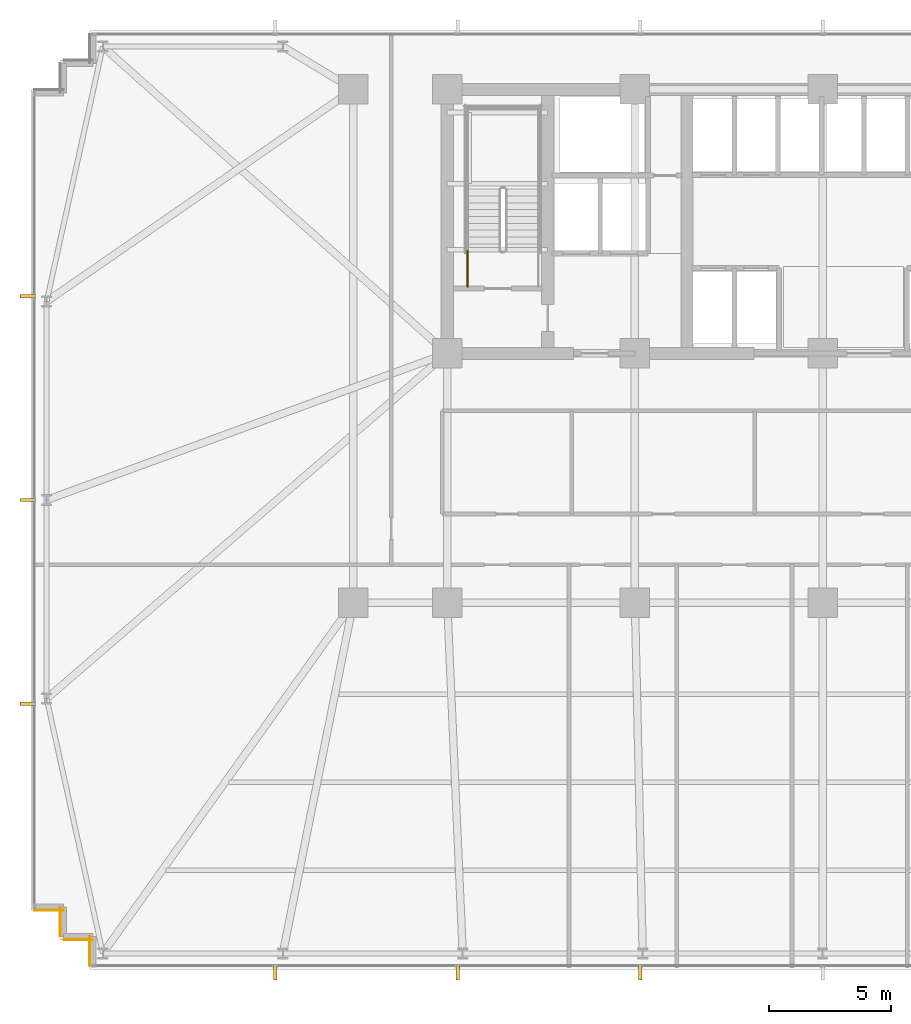
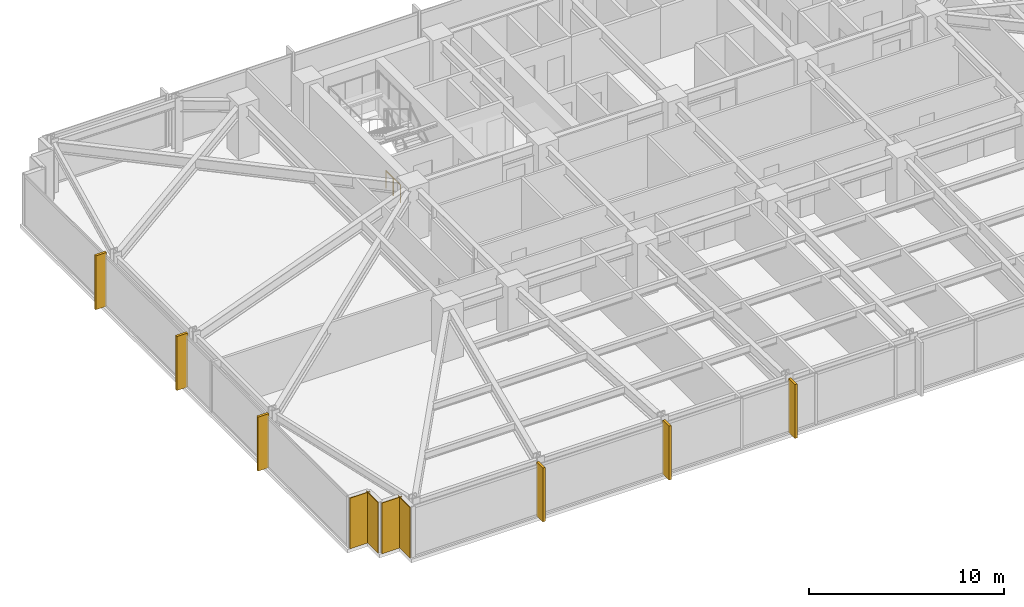
# One storey, part 27 of 33: 6 shading devices, 4 coverings, 1 railing.
"""IFC4 building model written with IfcOpenShell, lengths in metres."""

from ifc_helpers import new_model, si_unit, direction, frame, frame_2d, origin, origin_2d, place, context, subcontext, project, spatial, rectangle, circle, extrude, material, layer, layer_set, type_object, element, save


model = new_model("IFC4")

# Units and contexts
model_context = context("Model", 3, precision=1e-05, world=origin(), true_north=direction((0.0, 1.0)))
body_context = subcontext(model_context, "Body", "Model", "MODEL_VIEW")
ifc_project = project(units=[si_unit("LENGTHUNIT", "METRE"), si_unit("AREAUNIT", "SQUARE_METRE"), si_unit("VOLUMEUNIT", "CUBIC_METRE"), si_unit("PLANEANGLEUNIT", "RADIAN"), si_unit("MASSUNIT", "GRAM", prefix="KILO")], contexts=[model_context])

# Site, building, storey
site_placement = place(None, origin())
site = spatial("IfcSite", under=ifc_project, at=site_placement, CompositionType="ELEMENT")
building_placement = place(site_placement, origin())
building = spatial("IfcBuilding", under=site, at=building_placement, Name="Yelkora Congress Tower", CompositionType="ELEMENT")
storey_placement = place(building_placement, frame((0.0, 0.0, 54.199951171875)))
storey = spatial("IfcBuildingStorey", under=building, at=storey_placement, Name="L13", CompositionType="ELEMENT", Elevation=54.199951171875)

# Coverings
ifc_material_1 = material(Name="Anatolian bush-hammered limestone", Category="masonry")
ifc_layer_1 = layer(ifc_material_1, 0.0400390625)
ifc_layer_set_1 = layer_set([ifc_layer_1], Name="Anatolian bush-hammered limestone")
covering_type = type_object("IfcCoveringType", Name="COV-CLAD-SPANDREL-40", PredefinedType="CLADDING", material=ifc_layer_set_1)
for number, where, z_axis, x_axis, name in (
    (1, (8.405029296875, 10.340087890625, 0.0), (0.0, 0.0, 1.0), (0.0, 1.0, 0.0), "L13 Anatolian Limestone Cladding EW-L13-SR01"),
    (2, (8.5400390625, 11.405029296875, 0.0), (0.0, 0.0, 1.0), (-1.0, 0.0, 0.0), "L13 Anatolian Limestone Cladding EW-L13-SR02"),
    (3, (7.205078125, 11.5400390625, 0.0), (0.0, 0.0, 1.0), (0.0, 1.0, 0.0), "L13 Anatolian Limestone Cladding EW-L13-SR03"),
):
    element("IfcCovering", number, at=place(storey_placement, frame(where, z_axis=z_axis, x_axis=x_axis)), inside=storey, type_object=covering_type, Name=name, PredefinedType="CLADDING", context=body_context, shape_type="SweptSolid", body=[
        extrude(rectangle(XDim=1.199951171875, YDim=0.0400390625, at=frame_2d((0.60009765625, 0.0))), origin(), (0.0, 0.0, 1.0), 3.179931640625),
    ])
covering_placement = place(storey_placement, frame((7.340087890625, 12.60498046875, 0.0), z_axis=(0.0, 0.0, 1.0), x_axis=(-1.0, 0.0, 0.0)))
element("IfcCovering", 4, at=covering_placement, inside=storey, type_object=covering_type, Name="L13 Anatolian Limestone Cladding EW-L13-SR04", PredefinedType="CLADDING", context=body_context, shape_type="SweptSolid", body=[
    extrude(rectangle(XDim=1.2001953125, YDim=0.0400390625, at=frame_2d((0.60009765625, 0.0))), origin(), (0.0, 0.0, 1.0), 3.179931640625),
])

# Railing
ifc_material_2 = material(Name="Painted galvanised steel stair well guard with vertical infill", Category="steel")
ifc_layer_2 = layer(ifc_material_2, 0.06005859375)
ifc_layer_set_2 = layer_set([ifc_layer_2], Name="Painted galvanised steel stair well guard with vertical infill")
railing_type = type_object("IfcRailingType", Name="RAIL-STAIR-GUARD-1120", PredefinedType="GUARDRAIL", material=ifc_layer_set_2)
railing_placement = place(storey_placement, frame((23.8701171875, 38.1201171875, 0.0)))
element("IfcRailing", 5, at=railing_placement, inside=storey, type_object=railing_type, Name="ST-01 L13 Stair Well Guardrail 9", PredefinedType="GUARDRAIL", context=body_context, shape_type="SweptSolid", body=[
    extrude(circle(Radius=0.02392578125, at=origin_2d()), frame((0.0, 0.0, 1.09619140625), z_axis=(0.0, 1.0, 0.0), x_axis=(-1.0, 0.0, 0.0)), (0.0, 0.0, 1.0), 1.47998046875),
    extrude(circle(Radius=0.02099609375, at=origin_2d()), origin(), (0.0, 0.0, 1.0), 1.072021484375),
    extrude(circle(Radius=0.02099609375, at=origin_2d()), frame((0.0, 0.739990234375, 0.0)), (0.0, 0.0, 1.0), 1.072021484375),
    extrude(circle(Radius=0.02099609375, at=origin_2d()), frame((0.0, 1.47998046875, 0.0)), (0.0, 0.0, 1.0), 1.072021484375),
])

# Shading devices
ifc_material_3 = material(Name="Champagne anodised aluminium", Category="aluminium")
ifc_layer_3 = layer(ifc_material_3, 3.39990234375)
ifc_layer_set_3 = layer_set([ifc_layer_3], Name="Champagne anodised aluminium")
shading_device_type = type_object("IfcShadingDeviceType", Name="SHD-FIN-ALU-640", PredefinedType="USERDEFINED", material=ifc_layer_set_3)
for number, where, z_axis, x_axis, name in (
    (6, (5.8798828125, 21.070068359375, -0.02978515625), (0.0, 0.0, 1.0), (0.0, 1.0, 0.0), "L13 Vertical Anodised Solar Fin 5-1"),
    (7, (5.8798828125, 29.39990234375, -0.02978515625), (0.0, 0.0, 1.0), (0.0, 1.0, 0.0), "L13 Vertical Anodised Solar Fin 5-2"),
    (8, (5.8798828125, 37.72998046875, -0.02978515625), (0.0, 0.0, 1.0), (0.0, 1.0, 0.0), "L13 Vertical Anodised Solar Fin 5-3"),
    (9, (30.93505859375, 10.080078125, -0.02978515625), (0.0, 0.0, 1.0), (-1.0, 0.0, 0.0), "L13 Vertical Anodised Solar Fin 20-5"),
    (10, (23.469970703125, 10.080078125, -0.02978515625), (0.0, 0.0, 1.0), (-1.0, 0.0, 0.0), "L13 Vertical Anodised Solar Fin 20-6"),
    (11, (16.0048828125, 10.080078125, -0.02978515625), (0.0, 0.0, 1.0), (-1.0, 0.0, 0.0), "L13 Vertical Anodised Solar Fin 20-7"),
):
    element("IfcShadingDevice", number, at=place(storey_placement, frame(where, z_axis=z_axis, x_axis=x_axis)), inside=storey, type_object=shading_device_type, Name=name, ObjectType="FIN", PredefinedType="USERDEFINED", context=body_context, shape_type="SweptSolid", body=[
        extrude(rectangle(XDim=0.139892578125, YDim=0.639892578125, at=origin_2d()), origin(), (0.0, 0.0, 1.0), 3.3798828125),
    ])

save(model, "model.ifc")
